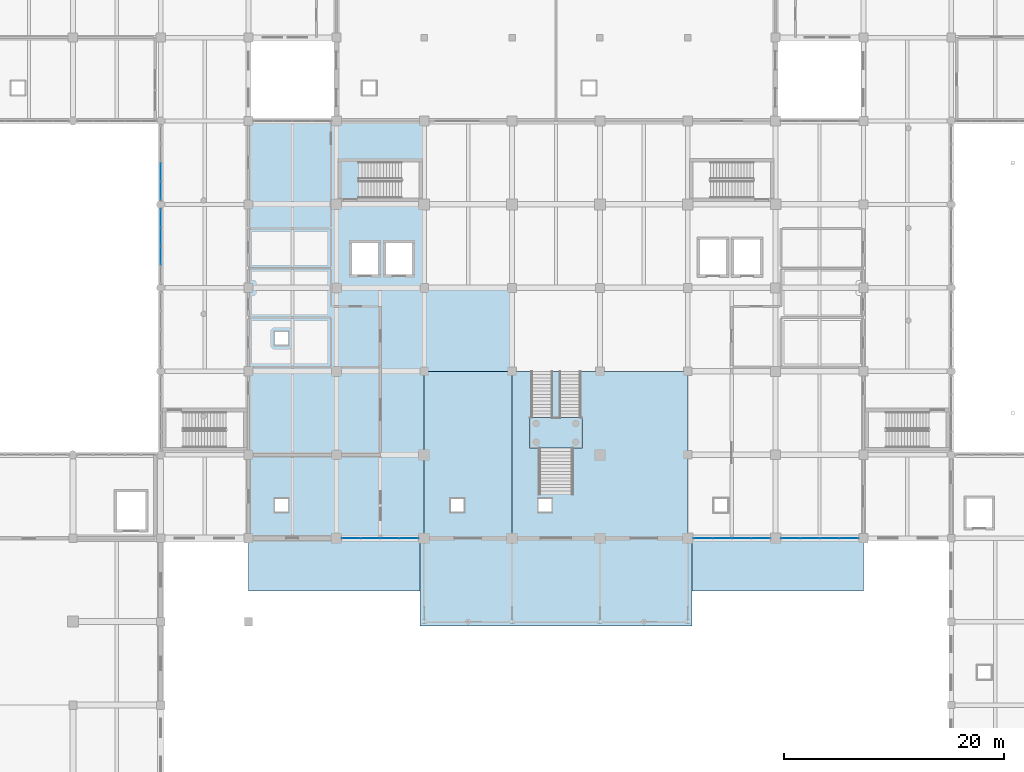
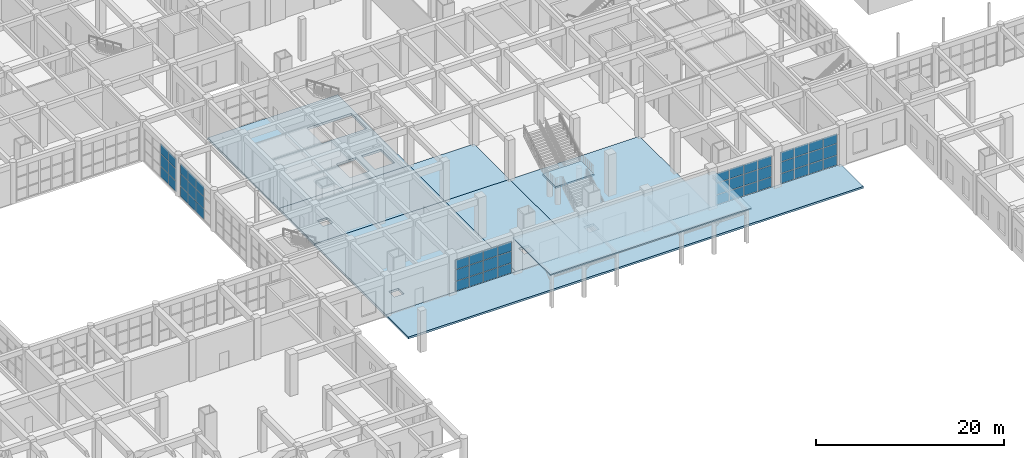
# One storey, part 60 of 95: 51 plates, 9 slabs, 6 elements without a shape of their own.
"""IFC4 building model written with IfcOpenShell, lengths in metres."""

from ifc_helpers import new_model, si_unit, direction, frame, origin, origin_2d, place, context, subcontext, project, spatial, polyline, rectangle, outline, extrude, material, layer, layer_set, type_object, element, aggregate, save


model = new_model("IFC4")

# Units and contexts
model_context = context("Model", 3, precision=1e-05, world=origin(), true_north=direction((0.0, 1.0)))
body_context = subcontext(model_context, "Body", "Model", "MODEL_VIEW")
ifc_project = project(units=[si_unit("LENGTHUNIT", "METRE"), si_unit("AREAUNIT", "SQUARE_METRE"), si_unit("VOLUMEUNIT", "CUBIC_METRE"), si_unit("PLANEANGLEUNIT", "RADIAN"), si_unit("MASSUNIT", "GRAM", prefix="KILO")], contexts=[model_context])

# Site, building, storey
site_placement = place(None, origin())
site = spatial("IfcSite", under=ifc_project, at=site_placement, CompositionType="ELEMENT")
building_placement = place(site_placement, origin())
building = spatial("IfcBuilding", under=site, at=building_placement, Name="Zantavel Square City Hall", CompositionType="ELEMENT")
storey_placement = place(building_placement, origin())
storey = spatial("IfcBuildingStorey", under=building, at=storey_placement, Name="L01", CompositionType="ELEMENT", Elevation=0.0)

# Slab
ifc_material_1 = material(Name="Tempered safety glass low-E double glazing", Category="glass")
ifc_layer_1 = layer(ifc_material_1, 0.159912109375, Name="Tempered safety glass low-E double glazing")
ifc_layer_set_1 = layer_set([ifc_layer_1], Name="Tempered safety glass low-E double glazing")
slab_type_1 = type_object("IfcSlabType", Name="Canopy Glazed Roof Deck 160mm", PredefinedType="ROOF", material=ifc_layer_set_1)
slab_1_placement = place(storey_placement, frame((0.0, 0.0, 4.43994140625)))
element("IfcSlab", 1, at=slab_1_placement, inside=storey, type_object=slab_type_1, Name="Main Entrance Projecting Steel-and-Glass Canopy", PredefinedType="ROOF", context=body_context, shape_type="SweptSolid", body=[
    extrude(outline(polyline([(71.60009765625, 22.39990234375), (96.39990234375, 22.39990234375), (96.39990234375, 30.39990234375), (71.60009765625, 30.39990234375), (71.60009765625, 22.39990234375)])), origin(), (0.0, 0.0, 1.0), 0.16015625),
])

# Stair, slab
ifc_material_2 = material(Name="White cantera volcanic tuff stone", Category="masonry")
stair_type = type_object("IfcStairType", Name="Grand Ceremonial Imperial Stair L01-L02", PredefinedType="DOUBLE_RETURN_STAIR", material=ifc_material_2)
stair_placement = place(storey_placement, origin())
stair = element("IfcStair", 2, at=stair_placement, inside=storey, type_object=stair_type, Name="Honor Vestibule Grand Imperial Stair", PredefinedType="DOUBLE_RETURN_STAIR")
ifc_material_3 = material(Name="Concrete C35/45", Category="concrete")
ifc_layer_2 = layer(ifc_material_3, 0.2099609375, Name="Concrete C35/45")
ifc_layer_set_2 = layer_set([ifc_layer_2], Name="Concrete C35/45")
slab_type_2 = type_object("IfcSlabType", Name="Core Stair Half-Landing Slab C35/45", PredefinedType="LANDING", material=ifc_layer_set_2)
slab_2_placement = place(storey_placement, frame((0.0, 0.0, 2.47998046875)))
slab_2 = element("IfcSlab", 3, at=slab_2_placement, type_object=slab_type_2, Name="ST-IMP landing 1", PredefinedType="LANDING", context=body_context, shape_type="SweptSolid", body=[
    extrude(outline(polyline([(81.60009765625, 38.60009765625), (86.39990234375, 38.60009765625), (86.39990234375, 41.39990234375), (81.60009765625, 41.39990234375), (81.60009765625, 38.60009765625)])), origin(), (0.0, 0.0, 1.0), 0.219970703125),
])
aggregate(stair, [slab_2])

# Slabs
ifc_layer_3 = layer(ifc_material_3, 0.300048828125, Name="Concrete C35/45")
ifc_layer_set_3 = layer_set([ifc_layer_3], Name="Concrete C35/45")
slab_type_3 = type_object("IfcSlabType", Name="Ground Civic Floor Slab 300mm C35/45", PredefinedType="FLOOR", material=ifc_layer_set_3)
slab_3_placement = place(storey_placement, frame((0.0, 0.0, -0.300048828125)))
element("IfcSlab", 4, at=slab_3_placement, inside=storey, type_object=slab_type_3, Name="L01 Floor Slab SLB-L01-V1-01", PredefinedType="FLOOR", context=body_context, shape_type="SweptSolid", body=[
    extrude(outline(polyline([(56.0, 45.60009765625), (72.0, 45.60009765625), (72.0, 30.39990234375), (56.0, 30.39990234375), (56.0, 45.60009765625)]), holes=[polyline([(59.60009765625, 34.0), (58.39990234375, 34.0), (58.39990234375, 32.800048828125), (59.60009765625, 32.800048828125), (59.60009765625, 34.0)])]), origin(), (0.0, 0.0, 1.0), 0.300048828125),
])
slab_4_placement = place(storey_placement, frame((0.0, 0.0, -0.300048828125)))
element("IfcSlab", 5, at=slab_4_placement, inside=storey, type_object=slab_type_3, Name="L01 Floor Slab SLB-L01-V1-02", PredefinedType="FLOOR", context=body_context, shape_type="SweptSolid", body=[
    extrude(outline(polyline([(80.0, 30.39990234375), (72.0, 30.39990234375), (72.0, 45.60009765625), (80.0, 45.60009765625), (80.0, 30.39990234375)]), holes=[polyline([(75.60009765625, 34.0), (74.39990234375, 34.0), (74.39990234375, 32.800048828125), (75.60009765625, 32.800048828125), (75.60009765625, 34.0)])]), origin(), (0.0, 0.0, 1.0), 0.300048828125),
])
slab_5_placement = place(storey_placement, frame((0.0, 0.0, -0.300048828125)))
element("IfcSlab", 6, at=slab_5_placement, inside=storey, type_object=slab_type_3, Name="L01 Floor Slab SLB-L01-V1-03", PredefinedType="FLOOR", context=body_context, shape_type="SweptSolid", body=[
    extrude(outline(polyline([(96.0, 30.39990234375), (80.0, 30.39990234375), (80.0, 45.60009765625), (96.0, 45.60009765625), (96.0, 30.39990234375)]), holes=[polyline([(83.60009765625, 34.0), (82.39990234375, 34.0), (82.39990234375, 32.800048828125), (83.60009765625, 32.800048828125), (83.60009765625, 34.0)])]), origin(), (0.0, 0.0, 1.0), 0.300048828125),
])
slab_6_placement = place(storey_placement, frame((0.0, 0.0, -0.300048828125)))
element("IfcSlab", 7, at=slab_6_placement, inside=storey, type_object=slab_type_3, Name="L01 Floor Slab SLB-L01-V1-05", PredefinedType="FLOOR", context=body_context, shape_type="SweptSolid", body=[
    extrude(outline(polyline([(72.0, 53.199951171875), (72.0, 45.60009765625), (56.0, 45.60009765625), (56.0, 53.199951171875), (72.0, 53.199951171875)]), holes=[polyline([(59.60009765625, 49.199951171875), (58.39990234375, 49.199951171875), (58.39990234375, 48.0), (59.60009765625, 48.0), (59.60009765625, 49.199951171875)])]), origin(), (0.0, 0.0, 1.0), 0.300048828125),
])
slab_7_placement = place(storey_placement, frame((0.0, 0.0, -0.300048828125)))
element("IfcSlab", 8, at=slab_7_placement, inside=storey, type_object=slab_type_3, Name="L01 Floor Slab SLB-L01-V1-06", PredefinedType="FLOOR", context=body_context, shape_type="SweptSolid", body=[
    extrude(outline(polyline([(80.0, 53.199951171875), (80.0, 45.60009765625), (72.0, 45.60009765625), (72.0, 53.199951171875), (80.0, 53.199951171875)])), origin(), (0.0, 0.0, 1.0), 0.300048828125),
])
slab_8_placement = place(storey_placement, frame((0.0, 0.0, -0.300048828125)))
element("IfcSlab", 9, at=slab_8_placement, inside=storey, type_object=slab_type_3, Name="L01 Floor Slab SLB-L01-V1-09", PredefinedType="FLOOR", context=body_context, shape_type="SweptSolid", body=[
    extrude(outline(polyline([(56.0, 53.199951171875), (56.0, 68.39990234375), (72.0, 68.39990234375), (72.0, 53.199951171875), (56.0, 53.199951171875)]), holes=[polyline([(66.050048828125, 61.39990234375), (71.530029296875, 61.39990234375), (71.530029296875, 64.669921875), (66.050048828125, 64.669921875), (66.050048828125, 61.39990234375)]), polyline([(65.39990234375, 57.300048828125), (65.39990234375, 54.39990234375), (67.800048828125, 54.39990234375), (67.800048828125, 57.300048828125), (65.39990234375, 57.300048828125)]), polyline([(70.89990234375, 57.300048828125), (68.5, 57.300048828125), (68.5, 54.39990234375), (70.89990234375, 54.39990234375), (70.89990234375, 57.300048828125)])]), origin(), (0.0, 0.0, 1.0), 0.300048828125),
])

# Curtain wall, plates
ifc_material_4 = material(Name="Anodised aluminium 6063-T6", Category="aluminium")
curtain_wall_type_1 = type_object("IfcCurtainWallType", Name="Curtain Wall CRT 6850x4460", PredefinedType="USERDEFINED", material=ifc_material_4)
curtain_wall_1_placement = place(storey_placement, origin())
curtain_wall_1 = element("IfcCurtainWall", 10, at=curtain_wall_1_placement, inside=storey, type_object=curtain_wall_type_1, Name="L01 Glazed Curtain Wall CW-L01-016", ObjectType="GLAZED CURTAIN WALL", PredefinedType="USERDEFINED")
ifc_layer_4 = layer(ifc_material_1, 0.028076171875, Name="Tempered safety glass low-E double glazing")
ifc_layer_set_4 = layer_set([ifc_layer_4], Name="Tempered safety glass low-E double glazing")
plate_type_1 = type_object("IfcPlateType", Name="Low-E Curtain Glazing Panel 1712x1487x28", PredefinedType="CURTAIN_PANEL", material=ifc_layer_set_4)
plate_1_placement = place(storey_placement, frame((48.0, 56.143798828125, 0.06005859375), z_axis=(0.0, 0.0, 1.0), x_axis=(0.0, 1.0, 0.0)))
plate_1 = element("IfcPlate", 11, at=plate_1_placement, type_object=plate_type_1, Name="CW-016 panel 2.1", PredefinedType="CURTAIN_PANEL", context=body_context, shape_type="SweptSolid", body=[
    extrude(rectangle(XDim=1.652587890625, YDim=0.028076171875, at=origin_2d()), origin(), (0.0, 0.0, 1.0), 1.3369140625),
])
plate_2_placement = place(storey_placement, frame((48.0, 56.143798828125, 1.45703125), z_axis=(0.0, 0.0, 1.0), x_axis=(0.0, 1.0, 0.0)))
plate_2 = element("IfcPlate", 12, at=plate_2_placement, type_object=plate_type_1, Name="CW-016 panel 2.2", PredefinedType="CURTAIN_PANEL", context=body_context, shape_type="SweptSolid", body=[
    extrude(rectangle(XDim=1.652587890625, YDim=0.028076171875, at=origin_2d()), origin(), (0.0, 0.0, 1.0), 1.5458984375),
])
plate_3_placement = place(storey_placement, frame((48.0, 56.143798828125, 3.06298828125), z_axis=(0.0, 0.0, 1.0), x_axis=(0.0, 1.0, 0.0)))
plate_3 = element("IfcPlate", 13, at=plate_3_placement, type_object=plate_type_1, Name="CW-016 panel 2.3", PredefinedType="CURTAIN_PANEL", context=body_context, shape_type="SweptSolid", body=[
    extrude(rectangle(XDim=1.652587890625, YDim=0.028076171875, at=origin_2d()), origin(), (0.0, 0.0, 1.0), 1.3369140625),
])
plate_4_placement = place(storey_placement, frame((48.0, 57.856201171875, 0.06005859375), z_axis=(0.0, 0.0, 1.0), x_axis=(0.0, 1.0, 0.0)))
plate_4 = element("IfcPlate", 14, at=plate_4_placement, type_object=plate_type_1, Name="CW-016 panel 3.1", PredefinedType="CURTAIN_PANEL", context=body_context, shape_type="SweptSolid", body=[
    extrude(rectangle(XDim=1.652587890625, YDim=0.028076171875, at=origin_2d()), origin(), (0.0, 0.0, 1.0), 1.3369140625),
])
plate_5_placement = place(storey_placement, frame((48.0, 57.856201171875, 1.45703125), z_axis=(0.0, 0.0, 1.0), x_axis=(0.0, 1.0, 0.0)))
plate_5 = element("IfcPlate", 15, at=plate_5_placement, type_object=plate_type_1, Name="CW-016 panel 3.2", PredefinedType="CURTAIN_PANEL", context=body_context, shape_type="SweptSolid", body=[
    extrude(rectangle(XDim=1.652587890625, YDim=0.028076171875, at=origin_2d()), origin(), (0.0, 0.0, 1.0), 1.5458984375),
])
plate_6_placement = place(storey_placement, frame((48.0, 57.856201171875, 3.06298828125), z_axis=(0.0, 0.0, 1.0), x_axis=(0.0, 1.0, 0.0)))
plate_6 = element("IfcPlate", 16, at=plate_6_placement, type_object=plate_type_1, Name="CW-016 panel 3.3", PredefinedType="CURTAIN_PANEL", context=body_context, shape_type="SweptSolid", body=[
    extrude(rectangle(XDim=1.652587890625, YDim=0.028076171875, at=origin_2d()), origin(), (0.0, 0.0, 1.0), 1.3369140625),
])
plate_7_placement = place(storey_placement, frame((48.0, 59.5537109375, 0.06005859375), z_axis=(0.0, 0.0, 1.0), x_axis=(0.0, 1.0, 0.0)))
plate_7 = element("IfcPlate", 17, at=plate_7_placement, type_object=plate_type_1, Name="CW-016 panel 4.1", PredefinedType="CURTAIN_PANEL", context=body_context, shape_type="SweptSolid", body=[
    extrude(rectangle(XDim=1.62255859375, YDim=0.028076171875, at=origin_2d()), origin(), (0.0, 0.0, 1.0), 1.3369140625),
])
plate_8_placement = place(storey_placement, frame((48.0, 59.5537109375, 1.45703125), z_axis=(0.0, 0.0, 1.0), x_axis=(0.0, 1.0, 0.0)))
plate_8 = element("IfcPlate", 18, at=plate_8_placement, type_object=plate_type_1, Name="CW-016 panel 4.2", PredefinedType="CURTAIN_PANEL", context=body_context, shape_type="SweptSolid", body=[
    extrude(rectangle(XDim=1.62255859375, YDim=0.028076171875, at=origin_2d()), origin(), (0.0, 0.0, 1.0), 1.5458984375),
])
plate_9_placement = place(storey_placement, frame((48.0, 59.5537109375, 3.06298828125), z_axis=(0.0, 0.0, 1.0), x_axis=(0.0, 1.0, 0.0)))
plate_9 = element("IfcPlate", 19, at=plate_9_placement, type_object=plate_type_1, Name="CW-016 panel 4.3", PredefinedType="CURTAIN_PANEL", context=body_context, shape_type="SweptSolid", body=[
    extrude(rectangle(XDim=1.62255859375, YDim=0.028076171875, at=origin_2d()), origin(), (0.0, 0.0, 1.0), 1.3369140625),
])
aggregate(curtain_wall_1, [plate_1, plate_2, plate_3, plate_4, plate_5, plate_6, plate_7, plate_8, plate_9])

curtain_wall_2_placement = place(storey_placement, origin())
curtain_wall_2 = element("IfcCurtainWall", 20, at=curtain_wall_2_placement, inside=storey, type_object=curtain_wall_type_1, Name="L01 Glazed Curtain Wall CW-L01-017", ObjectType="GLAZED CURTAIN WALL", PredefinedType="USERDEFINED")
ifc_layer_5 = layer(ifc_material_1, 0.028076171875, Name="Tempered safety glass low-E double glazing")
ifc_layer_set_5 = layer_set([ifc_layer_5], Name="Tempered safety glass low-E double glazing")
plate_type_2 = type_object("IfcPlateType", Name="Low-E Curtain Glazing Panel 1713x1487x28", PredefinedType="CURTAIN_PANEL", material=ifc_layer_set_5)
plate_10_placement = place(storey_placement, frame((48.0, 62.046142578125, 0.06005859375), z_axis=(0.0, 0.0, 1.0), x_axis=(0.0, 1.0, 0.0)))
plate_10 = element("IfcPlate", 21, at=plate_10_placement, type_object=plate_type_2, Name="CW-017 panel 1.1", PredefinedType="CURTAIN_PANEL", context=body_context, shape_type="SweptSolid", body=[
    extrude(rectangle(XDim=1.62255859375, YDim=0.028076171875, at=origin_2d()), origin(), (0.0, 0.0, 1.0), 1.3369140625),
])
plate_11_placement = place(storey_placement, frame((48.0, 62.046142578125, 1.45703125), z_axis=(0.0, 0.0, 1.0), x_axis=(0.0, 1.0, 0.0)))
plate_11 = element("IfcPlate", 22, at=plate_11_placement, type_object=plate_type_2, Name="CW-017 panel 1.2", PredefinedType="CURTAIN_PANEL", context=body_context, shape_type="SweptSolid", body=[
    extrude(rectangle(XDim=1.62255859375, YDim=0.028076171875, at=origin_2d()), origin(), (0.0, 0.0, 1.0), 1.5458984375),
])
plate_12_placement = place(storey_placement, frame((48.0, 62.046142578125, 3.06298828125), z_axis=(0.0, 0.0, 1.0), x_axis=(0.0, 1.0, 0.0)))
plate_12 = element("IfcPlate", 23, at=plate_12_placement, type_object=plate_type_2, Name="CW-017 panel 1.3", PredefinedType="CURTAIN_PANEL", context=body_context, shape_type="SweptSolid", body=[
    extrude(rectangle(XDim=1.62255859375, YDim=0.028076171875, at=origin_2d()), origin(), (0.0, 0.0, 1.0), 1.3369140625),
])
plate_13_placement = place(storey_placement, frame((48.0, 63.74365234375, 0.06005859375), z_axis=(0.0, 0.0, 1.0), x_axis=(0.0, 1.0, 0.0)))
plate_13 = element("IfcPlate", 24, at=plate_13_placement, type_object=plate_type_2, Name="CW-017 panel 2.1", PredefinedType="CURTAIN_PANEL", context=body_context, shape_type="SweptSolid", body=[
    extrude(rectangle(XDim=1.652587890625, YDim=0.028076171875, at=origin_2d()), origin(), (0.0, 0.0, 1.0), 1.3369140625),
])
plate_14_placement = place(storey_placement, frame((48.0, 63.74365234375, 1.45703125), z_axis=(0.0, 0.0, 1.0), x_axis=(0.0, 1.0, 0.0)))
plate_14 = element("IfcPlate", 25, at=plate_14_placement, type_object=plate_type_2, Name="CW-017 panel 2.2", PredefinedType="CURTAIN_PANEL", context=body_context, shape_type="SweptSolid", body=[
    extrude(rectangle(XDim=1.652587890625, YDim=0.028076171875, at=origin_2d()), origin(), (0.0, 0.0, 1.0), 1.5458984375),
])
plate_15_placement = place(storey_placement, frame((48.0, 63.74365234375, 3.06298828125), z_axis=(0.0, 0.0, 1.0), x_axis=(0.0, 1.0, 0.0)))
plate_15 = element("IfcPlate", 26, at=plate_15_placement, type_object=plate_type_2, Name="CW-017 panel 2.3", PredefinedType="CURTAIN_PANEL", context=body_context, shape_type="SweptSolid", body=[
    extrude(rectangle(XDim=1.652587890625, YDim=0.028076171875, at=origin_2d()), origin(), (0.0, 0.0, 1.0), 1.3369140625),
])
aggregate(curtain_wall_2, [plate_10, plate_11, plate_12, plate_13, plate_14, plate_15])

curtain_wall_type_2 = type_object("IfcCurtainWallType", Name="Curtain Wall TRV1 7025x4210", PredefinedType="USERDEFINED", material=ifc_material_4)
curtain_wall_3_placement = place(storey_placement, origin())
curtain_wall_3 = element("IfcCurtainWall", 27, at=curtain_wall_3_placement, inside=storey, type_object=curtain_wall_type_2, Name="L01 Glazed Curtain Wall CW-L01-002", ObjectType="GLAZED CURTAIN WALL", PredefinedType="USERDEFINED")
ifc_layer_6 = layer(ifc_material_1, 0.028076171875, Name="Tempered safety glass low-E double glazing")
ifc_layer_set_6 = layer_set([ifc_layer_6], Name="Tempered safety glass low-E double glazing")
plate_type_3 = type_object("IfcPlateType", Name="Low-E Curtain Glazing Panel 1756x1403x28", PredefinedType="CURTAIN_PANEL", material=ifc_layer_set_6)
plate_16_placement = place(storey_placement, frame((102.6318359375, 30.39990234375, 0.06005859375), z_axis=(0.0, 0.0, 1.0), x_axis=(-1.0, 0.0, 0.0)))
plate_16 = element("IfcPlate", 28, at=plate_16_placement, type_object=plate_type_3, Name="CW-002 panel 1.1", PredefinedType="CURTAIN_PANEL", context=body_context, shape_type="SweptSolid", body=[
    extrude(rectangle(XDim=1.666259765625, YDim=0.028076171875, at=origin_2d()), origin(), (0.0, 0.0, 1.0), 1.257080078125),
])
plate_17_placement = place(storey_placement, frame((102.6318359375, 30.39990234375, 1.376953125), z_axis=(0.0, 0.0, 1.0), x_axis=(-1.0, 0.0, 0.0)))
plate_17 = element("IfcPlate", 29, at=plate_17_placement, type_object=plate_type_3, Name="CW-002 panel 1.2", PredefinedType="CURTAIN_PANEL", context=body_context, shape_type="SweptSolid", body=[
    extrude(rectangle(XDim=1.666259765625, YDim=0.028076171875, at=origin_2d()), origin(), (0.0, 0.0, 1.0), 1.4560546875),
])
plate_18_placement = place(storey_placement, frame((102.6318359375, 30.39990234375, 2.89306640625), z_axis=(0.0, 0.0, 1.0), x_axis=(-1.0, 0.0, 0.0)))
plate_18 = element("IfcPlate", 30, at=plate_18_placement, type_object=plate_type_3, Name="CW-002 panel 1.3", PredefinedType="CURTAIN_PANEL", context=body_context, shape_type="SweptSolid", body=[
    extrude(rectangle(XDim=1.666259765625, YDim=0.028076171875, at=origin_2d()), origin(), (0.0, 0.0, 1.0), 1.257080078125),
])
plate_19_placement = place(storey_placement, frame((100.890625, 30.39990234375, 0.06005859375), z_axis=(0.0, 0.0, 1.0), x_axis=(-1.0, 0.0, 0.0)))
plate_19 = element("IfcPlate", 31, at=plate_19_placement, type_object=plate_type_3, Name="CW-002 panel 2.1", PredefinedType="CURTAIN_PANEL", context=body_context, shape_type="SweptSolid", body=[
    extrude(rectangle(XDim=1.6962890625, YDim=0.028076171875, at=origin_2d()), origin(), (0.0, 0.0, 1.0), 1.257080078125),
])
plate_20_placement = place(storey_placement, frame((100.890625, 30.39990234375, 1.376953125), z_axis=(0.0, 0.0, 1.0), x_axis=(-1.0, 0.0, 0.0)))
plate_20 = element("IfcPlate", 32, at=plate_20_placement, type_object=plate_type_3, Name="CW-002 panel 2.2", PredefinedType="CURTAIN_PANEL", context=body_context, shape_type="SweptSolid", body=[
    extrude(rectangle(XDim=1.6962890625, YDim=0.028076171875, at=origin_2d()), origin(), (0.0, 0.0, 1.0), 1.4560546875),
])
plate_21_placement = place(storey_placement, frame((100.890625, 30.39990234375, 2.89306640625), z_axis=(0.0, 0.0, 1.0), x_axis=(-1.0, 0.0, 0.0)))
plate_21 = element("IfcPlate", 33, at=plate_21_placement, type_object=plate_type_3, Name="CW-002 panel 2.3", PredefinedType="CURTAIN_PANEL", context=body_context, shape_type="SweptSolid", body=[
    extrude(rectangle(XDim=1.6962890625, YDim=0.028076171875, at=origin_2d()), origin(), (0.0, 0.0, 1.0), 1.257080078125),
])
plate_22_placement = place(storey_placement, frame((99.13427734375, 30.39990234375, 0.06005859375), z_axis=(0.0, 0.0, 1.0), x_axis=(-1.0, 0.0, 0.0)))
plate_22 = element("IfcPlate", 34, at=plate_22_placement, type_object=plate_type_3, Name="CW-002 panel 3.1", PredefinedType="CURTAIN_PANEL", context=body_context, shape_type="SweptSolid", body=[
    extrude(rectangle(XDim=1.6962890625, YDim=0.028076171875, at=origin_2d()), origin(), (0.0, 0.0, 1.0), 1.257080078125),
])
plate_23_placement = place(storey_placement, frame((99.13427734375, 30.39990234375, 1.376953125), z_axis=(0.0, 0.0, 1.0), x_axis=(-1.0, 0.0, 0.0)))
plate_23 = element("IfcPlate", 35, at=plate_23_placement, type_object=plate_type_3, Name="CW-002 panel 3.2", PredefinedType="CURTAIN_PANEL", context=body_context, shape_type="SweptSolid", body=[
    extrude(rectangle(XDim=1.6962890625, YDim=0.028076171875, at=origin_2d()), origin(), (0.0, 0.0, 1.0), 1.4560546875),
])
plate_24_placement = place(storey_placement, frame((99.13427734375, 30.39990234375, 2.89306640625), z_axis=(0.0, 0.0, 1.0), x_axis=(-1.0, 0.0, 0.0)))
plate_24 = element("IfcPlate", 36, at=plate_24_placement, type_object=plate_type_3, Name="CW-002 panel 3.3", PredefinedType="CURTAIN_PANEL", context=body_context, shape_type="SweptSolid", body=[
    extrude(rectangle(XDim=1.6962890625, YDim=0.028076171875, at=origin_2d()), origin(), (0.0, 0.0, 1.0), 1.257080078125),
])
plate_25_placement = place(storey_placement, frame((97.39306640625, 30.39990234375, 0.06005859375), z_axis=(0.0, 0.0, 1.0), x_axis=(-1.0, 0.0, 0.0)))
plate_25 = element("IfcPlate", 37, at=plate_25_placement, type_object=plate_type_3, Name="CW-002 panel 4.1", PredefinedType="CURTAIN_PANEL", context=body_context, shape_type="SweptSolid", body=[
    extrude(rectangle(XDim=1.666259765625, YDim=0.028076171875, at=origin_2d()), origin(), (0.0, 0.0, 1.0), 1.257080078125),
])
plate_26_placement = place(storey_placement, frame((97.39306640625, 30.39990234375, 1.376953125), z_axis=(0.0, 0.0, 1.0), x_axis=(-1.0, 0.0, 0.0)))
plate_26 = element("IfcPlate", 38, at=plate_26_placement, type_object=plate_type_3, Name="CW-002 panel 4.2", PredefinedType="CURTAIN_PANEL", context=body_context, shape_type="SweptSolid", body=[
    extrude(rectangle(XDim=1.666259765625, YDim=0.028076171875, at=origin_2d()), origin(), (0.0, 0.0, 1.0), 1.4560546875),
])
plate_27_placement = place(storey_placement, frame((97.39306640625, 30.39990234375, 2.89306640625), z_axis=(0.0, 0.0, 1.0), x_axis=(-1.0, 0.0, 0.0)))
plate_27 = element("IfcPlate", 39, at=plate_27_placement, type_object=plate_type_3, Name="CW-002 panel 4.3", PredefinedType="CURTAIN_PANEL", context=body_context, shape_type="SweptSolid", body=[
    extrude(rectangle(XDim=1.666259765625, YDim=0.028076171875, at=origin_2d()), origin(), (0.0, 0.0, 1.0), 1.257080078125),
])
aggregate(curtain_wall_3, [plate_16, plate_17, plate_18, plate_19, plate_20, plate_21, plate_22, plate_23, plate_24, plate_25, plate_26, plate_27])

curtain_wall_4_placement = place(storey_placement, origin())
curtain_wall_4 = element("IfcCurtainWall", 40, at=curtain_wall_4_placement, inside=storey, type_object=curtain_wall_type_2, Name="L01 Glazed Curtain Wall CW-L01-003", ObjectType="GLAZED CURTAIN WALL", PredefinedType="USERDEFINED")
plate_28_placement = place(storey_placement, frame((70.60693359375, 30.39990234375, 0.06005859375), z_axis=(0.0, 0.0, 1.0), x_axis=(-1.0, 0.0, 0.0)))
plate_28 = element("IfcPlate", 41, at=plate_28_placement, type_object=plate_type_3, Name="CW-003 panel 1.1", PredefinedType="CURTAIN_PANEL", context=body_context, shape_type="SweptSolid", body=[
    extrude(rectangle(XDim=1.666259765625, YDim=0.028076171875, at=origin_2d()), origin(), (0.0, 0.0, 1.0), 1.257080078125),
])
plate_29_placement = place(storey_placement, frame((70.60693359375, 30.39990234375, 1.376953125), z_axis=(0.0, 0.0, 1.0), x_axis=(-1.0, 0.0, 0.0)))
plate_29 = element("IfcPlate", 42, at=plate_29_placement, type_object=plate_type_3, Name="CW-003 panel 1.2", PredefinedType="CURTAIN_PANEL", context=body_context, shape_type="SweptSolid", body=[
    extrude(rectangle(XDim=1.666259765625, YDim=0.028076171875, at=origin_2d()), origin(), (0.0, 0.0, 1.0), 1.4560546875),
])
plate_30_placement = place(storey_placement, frame((70.60693359375, 30.39990234375, 2.89306640625), z_axis=(0.0, 0.0, 1.0), x_axis=(-1.0, 0.0, 0.0)))
plate_30 = element("IfcPlate", 43, at=plate_30_placement, type_object=plate_type_3, Name="CW-003 panel 1.3", PredefinedType="CURTAIN_PANEL", context=body_context, shape_type="SweptSolid", body=[
    extrude(rectangle(XDim=1.666259765625, YDim=0.028076171875, at=origin_2d()), origin(), (0.0, 0.0, 1.0), 1.257080078125),
])
plate_31_placement = place(storey_placement, frame((68.86572265625, 30.39990234375, 0.06005859375), z_axis=(0.0, 0.0, 1.0), x_axis=(-1.0, 0.0, 0.0)))
plate_31 = element("IfcPlate", 44, at=plate_31_placement, type_object=plate_type_3, Name="CW-003 panel 2.1", PredefinedType="CURTAIN_PANEL", context=body_context, shape_type="SweptSolid", body=[
    extrude(rectangle(XDim=1.6962890625, YDim=0.028076171875, at=origin_2d()), origin(), (0.0, 0.0, 1.0), 1.257080078125),
])
plate_32_placement = place(storey_placement, frame((68.86572265625, 30.39990234375, 1.376953125), z_axis=(0.0, 0.0, 1.0), x_axis=(-1.0, 0.0, 0.0)))
plate_32 = element("IfcPlate", 45, at=plate_32_placement, type_object=plate_type_3, Name="CW-003 panel 2.2", PredefinedType="CURTAIN_PANEL", context=body_context, shape_type="SweptSolid", body=[
    extrude(rectangle(XDim=1.6962890625, YDim=0.028076171875, at=origin_2d()), origin(), (0.0, 0.0, 1.0), 1.4560546875),
])
plate_33_placement = place(storey_placement, frame((68.86572265625, 30.39990234375, 2.89306640625), z_axis=(0.0, 0.0, 1.0), x_axis=(-1.0, 0.0, 0.0)))
plate_33 = element("IfcPlate", 46, at=plate_33_placement, type_object=plate_type_3, Name="CW-003 panel 2.3", PredefinedType="CURTAIN_PANEL", context=body_context, shape_type="SweptSolid", body=[
    extrude(rectangle(XDim=1.6962890625, YDim=0.028076171875, at=origin_2d()), origin(), (0.0, 0.0, 1.0), 1.257080078125),
])
plate_34_placement = place(storey_placement, frame((67.109375, 30.39990234375, 0.06005859375), z_axis=(0.0, 0.0, 1.0), x_axis=(-1.0, 0.0, 0.0)))
plate_34 = element("IfcPlate", 47, at=plate_34_placement, type_object=plate_type_3, Name="CW-003 panel 3.1", PredefinedType="CURTAIN_PANEL", context=body_context, shape_type="SweptSolid", body=[
    extrude(rectangle(XDim=1.6962890625, YDim=0.028076171875, at=origin_2d()), origin(), (0.0, 0.0, 1.0), 1.257080078125),
])
plate_35_placement = place(storey_placement, frame((67.109375, 30.39990234375, 1.376953125), z_axis=(0.0, 0.0, 1.0), x_axis=(-1.0, 0.0, 0.0)))
plate_35 = element("IfcPlate", 48, at=plate_35_placement, type_object=plate_type_3, Name="CW-003 panel 3.2", PredefinedType="CURTAIN_PANEL", context=body_context, shape_type="SweptSolid", body=[
    extrude(rectangle(XDim=1.6962890625, YDim=0.028076171875, at=origin_2d()), origin(), (0.0, 0.0, 1.0), 1.4560546875),
])
plate_36_placement = place(storey_placement, frame((67.109375, 30.39990234375, 2.89306640625), z_axis=(0.0, 0.0, 1.0), x_axis=(-1.0, 0.0, 0.0)))
plate_36 = element("IfcPlate", 49, at=plate_36_placement, type_object=plate_type_3, Name="CW-003 panel 3.3", PredefinedType="CURTAIN_PANEL", context=body_context, shape_type="SweptSolid", body=[
    extrude(rectangle(XDim=1.6962890625, YDim=0.028076171875, at=origin_2d()), origin(), (0.0, 0.0, 1.0), 1.257080078125),
])
plate_37_placement = place(storey_placement, frame((65.3681640625, 30.39990234375, 0.06005859375), z_axis=(0.0, 0.0, 1.0), x_axis=(-1.0, 0.0, 0.0)))
plate_37 = element("IfcPlate", 50, at=plate_37_placement, type_object=plate_type_3, Name="CW-003 panel 4.1", PredefinedType="CURTAIN_PANEL", context=body_context, shape_type="SweptSolid", body=[
    extrude(rectangle(XDim=1.666259765625, YDim=0.028076171875, at=origin_2d()), origin(), (0.0, 0.0, 1.0), 1.257080078125),
])
plate_38_placement = place(storey_placement, frame((65.3681640625, 30.39990234375, 1.376953125), z_axis=(0.0, 0.0, 1.0), x_axis=(-1.0, 0.0, 0.0)))
plate_38 = element("IfcPlate", 51, at=plate_38_placement, type_object=plate_type_3, Name="CW-003 panel 4.2", PredefinedType="CURTAIN_PANEL", context=body_context, shape_type="SweptSolid", body=[
    extrude(rectangle(XDim=1.666259765625, YDim=0.028076171875, at=origin_2d()), origin(), (0.0, 0.0, 1.0), 1.4560546875),
])
plate_39_placement = place(storey_placement, frame((65.3681640625, 30.39990234375, 2.89306640625), z_axis=(0.0, 0.0, 1.0), x_axis=(-1.0, 0.0, 0.0)))
plate_39 = element("IfcPlate", 52, at=plate_39_placement, type_object=plate_type_3, Name="CW-003 panel 4.3", PredefinedType="CURTAIN_PANEL", context=body_context, shape_type="SweptSolid", body=[
    extrude(rectangle(XDim=1.666259765625, YDim=0.028076171875, at=origin_2d()), origin(), (0.0, 0.0, 1.0), 1.257080078125),
])
aggregate(curtain_wall_4, [plate_28, plate_29, plate_30, plate_31, plate_32, plate_33, plate_34, plate_35, plate_36, plate_37, plate_38, plate_39])

curtain_wall_type_3 = type_object("IfcCurtainWallType", Name="Curtain Wall TRV1 7100x4210", PredefinedType="USERDEFINED", material=ifc_material_4)
curtain_wall_5_placement = place(storey_placement, origin())
curtain_wall_5 = element("IfcCurtainWall", 53, at=curtain_wall_5_placement, inside=storey, type_object=curtain_wall_type_3, Name="L01 Glazed Curtain Wall CW-L01-001", ObjectType="GLAZED CURTAIN WALL", PredefinedType="USERDEFINED")
ifc_layer_7 = layer(ifc_material_1, 0.028076171875, Name="Tempered safety glass low-E double glazing")
ifc_layer_set_7 = layer_set([ifc_layer_7], Name="Tempered safety glass low-E double glazing")
plate_type_4 = type_object("IfcPlateType", Name="Low-E Curtain Glazing Panel 1775x1403x28", PredefinedType="CURTAIN_PANEL", material=ifc_layer_set_7)
plate_40_placement = place(storey_placement, frame((110.672607421875, 30.39990234375, 0.06005859375), z_axis=(0.0, 0.0, 1.0), x_axis=(-1.0, 0.0, 0.0)))
plate_40 = element("IfcPlate", 54, at=plate_40_placement, type_object=plate_type_4, Name="CW-001 panel 1.1", PredefinedType="CURTAIN_PANEL", context=body_context, shape_type="SweptSolid", body=[
    extrude(rectangle(XDim=1.68505859375, YDim=0.028076171875, at=origin_2d()), origin(), (0.0, 0.0, 1.0), 1.257080078125),
])
plate_41_placement = place(storey_placement, frame((110.672607421875, 30.39990234375, 1.376953125), z_axis=(0.0, 0.0, 1.0), x_axis=(-1.0, 0.0, 0.0)))
plate_41 = element("IfcPlate", 55, at=plate_41_placement, type_object=plate_type_4, Name="CW-001 panel 1.2", PredefinedType="CURTAIN_PANEL", context=body_context, shape_type="SweptSolid", body=[
    extrude(rectangle(XDim=1.68505859375, YDim=0.028076171875, at=origin_2d()), origin(), (0.0, 0.0, 1.0), 1.4560546875),
])
plate_42_placement = place(storey_placement, frame((110.672607421875, 30.39990234375, 2.89306640625), z_axis=(0.0, 0.0, 1.0), x_axis=(-1.0, 0.0, 0.0)))
plate_42 = element("IfcPlate", 56, at=plate_42_placement, type_object=plate_type_4, Name="CW-001 panel 1.3", PredefinedType="CURTAIN_PANEL", context=body_context, shape_type="SweptSolid", body=[
    extrude(rectangle(XDim=1.68505859375, YDim=0.028076171875, at=origin_2d()), origin(), (0.0, 0.0, 1.0), 1.257080078125),
])
plate_43_placement = place(storey_placement, frame((108.91259765625, 30.39990234375, 0.06005859375), z_axis=(0.0, 0.0, 1.0), x_axis=(-1.0, 0.0, 0.0)))
plate_43 = element("IfcPlate", 57, at=plate_43_placement, type_object=plate_type_4, Name="CW-001 panel 2.1", PredefinedType="CURTAIN_PANEL", context=body_context, shape_type="SweptSolid", body=[
    extrude(rectangle(XDim=1.715087890625, YDim=0.028076171875, at=origin_2d()), origin(), (0.0, 0.0, 1.0), 1.257080078125),
])
plate_44_placement = place(storey_placement, frame((108.91259765625, 30.39990234375, 1.376953125), z_axis=(0.0, 0.0, 1.0), x_axis=(-1.0, 0.0, 0.0)))
plate_44 = element("IfcPlate", 58, at=plate_44_placement, type_object=plate_type_4, Name="CW-001 panel 2.2", PredefinedType="CURTAIN_PANEL", context=body_context, shape_type="SweptSolid", body=[
    extrude(rectangle(XDim=1.715087890625, YDim=0.028076171875, at=origin_2d()), origin(), (0.0, 0.0, 1.0), 1.4560546875),
])
plate_45_placement = place(storey_placement, frame((108.91259765625, 30.39990234375, 2.89306640625), z_axis=(0.0, 0.0, 1.0), x_axis=(-1.0, 0.0, 0.0)))
plate_45 = element("IfcPlate", 59, at=plate_45_placement, type_object=plate_type_4, Name="CW-001 panel 2.3", PredefinedType="CURTAIN_PANEL", context=body_context, shape_type="SweptSolid", body=[
    extrude(rectangle(XDim=1.715087890625, YDim=0.028076171875, at=origin_2d()), origin(), (0.0, 0.0, 1.0), 1.257080078125),
])
plate_46_placement = place(storey_placement, frame((107.137451171875, 30.39990234375, 0.06005859375), z_axis=(0.0, 0.0, 1.0), x_axis=(-1.0, 0.0, 0.0)))
plate_46 = element("IfcPlate", 60, at=plate_46_placement, type_object=plate_type_4, Name="CW-001 panel 3.1", PredefinedType="CURTAIN_PANEL", context=body_context, shape_type="SweptSolid", body=[
    extrude(rectangle(XDim=1.715087890625, YDim=0.028076171875, at=origin_2d()), origin(), (0.0, 0.0, 1.0), 1.257080078125),
])
plate_47_placement = place(storey_placement, frame((107.137451171875, 30.39990234375, 1.376953125), z_axis=(0.0, 0.0, 1.0), x_axis=(-1.0, 0.0, 0.0)))
plate_47 = element("IfcPlate", 61, at=plate_47_placement, type_object=plate_type_4, Name="CW-001 panel 3.2", PredefinedType="CURTAIN_PANEL", context=body_context, shape_type="SweptSolid", body=[
    extrude(rectangle(XDim=1.715087890625, YDim=0.028076171875, at=origin_2d()), origin(), (0.0, 0.0, 1.0), 1.4560546875),
])
plate_48_placement = place(storey_placement, frame((107.137451171875, 30.39990234375, 2.89306640625), z_axis=(0.0, 0.0, 1.0), x_axis=(-1.0, 0.0, 0.0)))
plate_48 = element("IfcPlate", 62, at=plate_48_placement, type_object=plate_type_4, Name="CW-001 panel 3.3", PredefinedType="CURTAIN_PANEL", context=body_context, shape_type="SweptSolid", body=[
    extrude(rectangle(XDim=1.715087890625, YDim=0.028076171875, at=origin_2d()), origin(), (0.0, 0.0, 1.0), 1.257080078125),
])
plate_49_placement = place(storey_placement, frame((105.37744140625, 30.39990234375, 0.06005859375), z_axis=(0.0, 0.0, 1.0), x_axis=(-1.0, 0.0, 0.0)))
plate_49 = element("IfcPlate", 63, at=plate_49_placement, type_object=plate_type_4, Name="CW-001 panel 4.1", PredefinedType="CURTAIN_PANEL", context=body_context, shape_type="SweptSolid", body=[
    extrude(rectangle(XDim=1.68505859375, YDim=0.028076171875, at=origin_2d()), origin(), (0.0, 0.0, 1.0), 1.257080078125),
])
plate_50_placement = place(storey_placement, frame((105.37744140625, 30.39990234375, 1.376953125), z_axis=(0.0, 0.0, 1.0), x_axis=(-1.0, 0.0, 0.0)))
plate_50 = element("IfcPlate", 64, at=plate_50_placement, type_object=plate_type_4, Name="CW-001 panel 4.2", PredefinedType="CURTAIN_PANEL", context=body_context, shape_type="SweptSolid", body=[
    extrude(rectangle(XDim=1.68505859375, YDim=0.028076171875, at=origin_2d()), origin(), (0.0, 0.0, 1.0), 1.4560546875),
])
plate_51_placement = place(storey_placement, frame((105.37744140625, 30.39990234375, 2.89306640625), z_axis=(0.0, 0.0, 1.0), x_axis=(-1.0, 0.0, 0.0)))
plate_51 = element("IfcPlate", 65, at=plate_51_placement, type_object=plate_type_4, Name="CW-001 panel 4.3", PredefinedType="CURTAIN_PANEL", context=body_context, shape_type="SweptSolid", body=[
    extrude(rectangle(XDim=1.68505859375, YDim=0.028076171875, at=origin_2d()), origin(), (0.0, 0.0, 1.0), 1.257080078125),
])
aggregate(curtain_wall_5, [plate_40, plate_41, plate_42, plate_43, plate_44, plate_45, plate_46, plate_47, plate_48, plate_49, plate_50, plate_51])

# Slab
ifc_layer_8 = layer(ifc_material_3, 0.25, Name="Concrete C35/45")
ifc_layer_set_8 = layer_set([ifc_layer_8], Name="Concrete C35/45")
slab_type_4 = type_object("IfcSlabType", Name="Portales Promenade Deck Slab 250mm C35/45", PredefinedType="FLOOR", material=ifc_layer_set_8)
slab_9_placement = place(storey_placement, frame((0.0, 0.0, -0.25)))
element("IfcSlab", 66, at=slab_9_placement, inside=storey, type_object=slab_type_4, Name="L01 Outdoor Terrace Slab SLB-L01-PORT-FC", PredefinedType="FLOOR", context=body_context, shape_type="SweptSolid", body=[
    extrude(outline(polyline([(112.0, 25.60009765625), (56.0, 25.60009765625), (56.0, 30.39990234375), (72.0, 30.39990234375), (80.0, 30.39990234375), (96.0, 30.39990234375), (112.0, 30.39990234375), (112.0, 25.60009765625)])), origin(), (0.0, 0.0, 1.0), 0.25),
])

save(model, "model.ifc")
